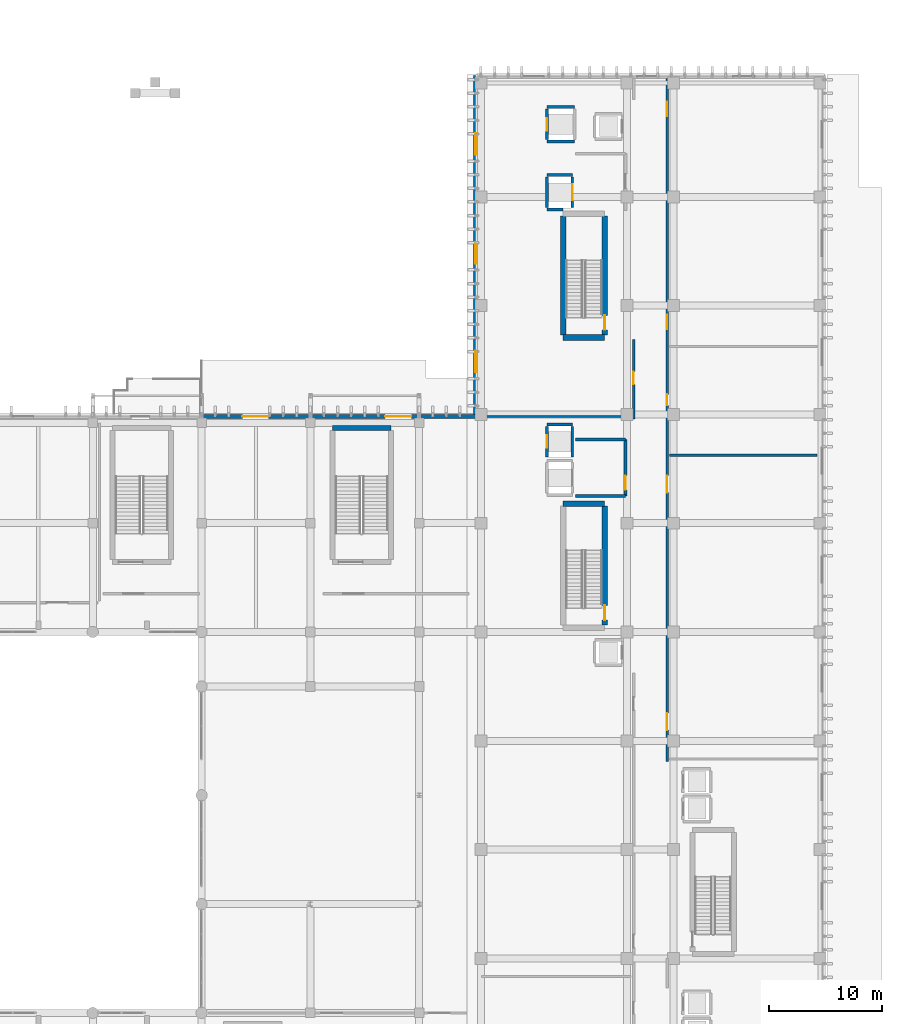
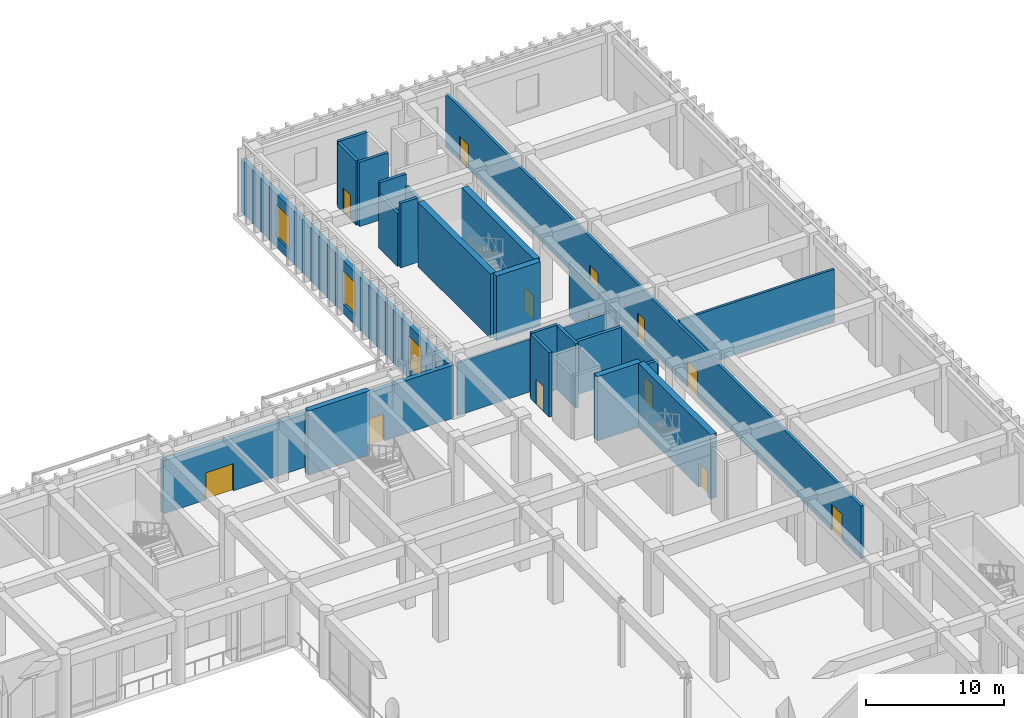
# One storey, part 49 of 87: 25 walls, 14 doors, 3 windows, 17 openings.
"""IFC4 building model written with IfcOpenShell, lengths in metres."""

from ifc_helpers import new_model, si_unit, direction, frame, frame_2d, origin, place, context, subcontext, project, spatial, rectangle, extrude, material, layer, layer_set, type_object, element, fill, save


model = new_model("IFC4")

# Units and contexts
model_context = context("Model", 3, precision=1e-05, world=origin(), true_north=direction((0.0, 1.0)))
body_context = subcontext(model_context, "Body", "Model", "MODEL_VIEW")
ifc_project = project(units=[si_unit("LENGTHUNIT", "METRE"), si_unit("AREAUNIT", "SQUARE_METRE"), si_unit("VOLUMEUNIT", "CUBIC_METRE"), si_unit("PLANEANGLEUNIT", "RADIAN"), si_unit("MASSUNIT", "GRAM", prefix="KILO")], contexts=[model_context])

# Site, building, storey
site_placement = place(None, origin())
site = spatial("IfcSite", under=ifc_project, at=site_placement, CompositionType="ELEMENT")
building_placement = place(site_placement, origin())
building = spatial("IfcBuilding", under=site, at=building_placement, Name="Nakhvara Creek Congress Hotel", CompositionType="ELEMENT")
storey_placement = place(building_placement, origin())
storey = spatial("IfcBuildingStorey", under=building, at=storey_placement, Name="L00", CompositionType="ELEMENT", Elevation=0.0)

# Walls
ifc_material_1 = material(Name="Concrete C50/60", Category="concrete")
ifc_layer_1 = layer(ifc_material_1, 0.449951171875)
ifc_layer_set_1 = layer_set([ifc_layer_1], Name="Concrete C50/60")
wall_type_1 = type_object("IfcWallType", Name="W-CORE-450", PredefinedType="SHEAR", material=ifc_layer_set_1)
wall_1_placement = place(storey_placement, frame((136.35009765625, 94.820068359375, 0.0), z_axis=(0.0, 0.0, 1.0), x_axis=(1.0, 0.0, 0.0)))
element("IfcWall", 1, at=wall_1_placement, inside=storey, type_object=wall_type_1, Name="Core Shear Wall WS02-CWALL-L00-0920", PredefinedType="SHEAR", context=body_context, shape_type="SweptSolid", body=[
    extrude(rectangle(XDim=5.14990234375, YDim=0.449951171875, at=frame_2d((2.574951171875, 0.0))), origin(), (0.0, 0.0, 1.0), 5.699951171875),
])
ifc_layer_2 = layer(ifc_material_1, 0.5)
ifc_layer_set_2 = layer_set([ifc_layer_2], Name="Concrete C50/60")
wall_type_2 = type_object("IfcWallType", Name="W-CORE-500", PredefinedType="SHEAR", material=ifc_layer_set_2)
wall_2_placement = place(storey_placement, frame((156.699951171875, 88.1201171875, 0.0), z_axis=(0.0, 0.0, 1.0), x_axis=(1.0, 0.0, 0.0)))
element("IfcWall", 2, at=wall_2_placement, inside=storey, type_object=wall_type_2, Name="Core Shear Wall WS01-CWALL-L00-0038", PredefinedType="SHEAR", context=body_context, shape_type="SweptSolid", body=[
    extrude(rectangle(XDim=3.670166015625, YDim=0.5, at=frame_2d((1.8349609375, 0.0))), origin(), (0.0, 0.0, 1.0), 5.699951171875),
])

# Wall, opening, door
wall_3_placement = place(storey_placement, frame((160.3701171875, 77.39990234375, 0.0), z_axis=(0.0, 0.0, 1.0), x_axis=(0.0, 1.0, 0.0)))
wall_3 = element("IfcWall", 3, at=wall_3_placement, inside=storey, type_object=wall_type_2, Name="Core Shear Wall WS01-CWALL-L00-0040", PredefinedType="SHEAR", context=body_context, shape_type="SweptSolid", body=[
    extrude(rectangle(XDim=10.5, YDim=0.5, at=frame_2d((5.25, 0.0))), origin(), (0.0, 0.0, 1.0), 5.699951171875),
])
opening_1_placement = place(wall_3_placement, frame((0.449951171875, 0.0, 0.0)))
opening_1 = element("IfcOpeningElement", 4, at=opening_1_placement, cuts=wall_3, Name="Opening FD04", PredefinedType="OPENING", context=body_context, shape_type="SweptSolid", body=[
    extrude(rectangle(XDim=1.300048828125, YDim=2.14990234375, at=frame_2d((0.64990234375, 1.074951171875))), frame((0.0, 0.261962890625, 0.0), z_axis=(0.0, -1.0, 0.0), x_axis=(1.0, 0.0, 0.0)), (0.0, 0.0, 1.0), 0.52392578125),
])
ifc_material_2 = material(Name="Powder-coated steel fire door", Category="steel")
door_type_1 = type_object("IfcDoorType", Name="DT-STAIR-130", OperationType="NOTDEFINED", PredefinedType="DOOR", material=ifc_material_2)
door_1_placement = place(opening_1_placement, frame((1.300048828125, 0.0, 0.0), z_axis=(0.0, 0.0, 1.0), x_axis=(-1.0, 0.0, 0.0)))
door_1 = element("IfcDoor", 5, at=door_1_placement, inside=storey, type_object=door_type_1, Name="Stair Exit Door ST01-L00", OperationType="SINGLE_SWING_LEFT", OverallHeight=2.14990234375, OverallWidth=1.300048828125, PredefinedType="DOOR", context=body_context, shape_type="SweptSolid", body=[
    extrude(rectangle(XDim=1.300048828125, YDim=2.14990234375, at=frame_2d((0.64990234375, 1.074951171875))), frame((0.0, 0.02490234375, 0.0), z_axis=(0.0, -1.0, 0.0), x_axis=(1.0, 0.0, 0.0)), (0.0, 0.0, 1.0), 0.050048828125),
])
fill(opening_1, door_1)

# Walls
wall_4_placement = place(storey_placement, frame((156.699951171875, 102.780029296875, 0.0), z_axis=(0.0, 0.0, 1.0), x_axis=(1.0, 0.0, 0.0)))
element("IfcWall", 6, at=wall_4_placement, inside=storey, type_object=wall_type_2, Name="Core Shear Wall WS01-CWALL-L00-0304", PredefinedType="SHEAR", context=body_context, shape_type="SweptSolid", body=[
    extrude(rectangle(XDim=3.670166015625, YDim=0.5, at=frame_2d((1.8349609375, 0.0))), origin(), (0.0, 0.0, 1.0), 5.699951171875),
])
wall_5_placement = place(storey_placement, frame((156.699951171875, 103.0, 0.0), z_axis=(0.0, 0.0, 1.0), x_axis=(0.0, 1.0, 0.0)))
element("IfcWall", 7, at=wall_5_placement, inside=storey, type_object=wall_type_2, Name="Core Shear Wall WS01-CWALL-L00-0306", PredefinedType="SHEAR", context=body_context, shape_type="SweptSolid", body=[
    extrude(rectangle(XDim=10.5, YDim=0.5, at=frame_2d((5.25, 0.0))), origin(), (0.0, 0.0, 1.0), 5.699951171875),
])

# Wall, opening, door
wall_6_placement = place(storey_placement, frame((160.3701171875, 103.0, 0.0), z_axis=(0.0, 0.0, 1.0), x_axis=(0.0, 1.0, 0.0)))
wall_6 = element("IfcWall", 8, at=wall_6_placement, inside=storey, type_object=wall_type_2, Name="Core Shear Wall WS01-CWALL-L00-0307", PredefinedType="SHEAR", context=body_context, shape_type="SweptSolid", body=[
    extrude(rectangle(XDim=10.5, YDim=0.5, at=frame_2d((5.25, 0.0))), origin(), (0.0, 0.0, 1.0), 5.699951171875),
])
opening_2_placement = place(wall_6_placement, frame((0.449951171875, 0.0, 0.0)))
opening_2 = element("IfcOpeningElement", 9, at=opening_2_placement, cuts=wall_6, Name="Opening FD04", PredefinedType="OPENING", context=body_context, shape_type="SweptSolid", body=[
    extrude(rectangle(XDim=1.300048828125, YDim=2.14990234375, at=frame_2d((0.64990234375, 1.074951171875))), frame((0.0, 0.261962890625, 0.0), z_axis=(0.0, -1.0, 0.0), x_axis=(1.0, 0.0, 0.0)), (0.0, 0.0, 1.0), 0.52392578125),
])
door_2_placement = place(opening_2_placement, frame((1.300048828125, 0.0, 0.0), z_axis=(0.0, 0.0, 1.0), x_axis=(-1.0, 0.0, 0.0)))
door_2 = element("IfcDoor", 10, at=door_2_placement, inside=storey, type_object=door_type_1, Name="Stair Exit Door ST02-L00", OperationType="SINGLE_SWING_LEFT", OverallHeight=2.14990234375, OverallWidth=1.300048828125, PredefinedType="DOOR", context=body_context, shape_type="SweptSolid", body=[
    extrude(rectangle(XDim=1.300048828125, YDim=2.14990234375, at=frame_2d((0.64990234375, 1.074951171875))), frame((0.0, 0.02490234375, 0.0), z_axis=(0.0, -1.0, 0.0), x_axis=(1.0, 0.0, 0.0)), (0.0, 0.0, 1.0), 0.050048828125),
])
fill(opening_2, door_2)

ifc_material_3 = material(Name="Gypsum acoustic board on steel stud", Category="steel")
ifc_layer_3 = layer(ifc_material_3, 0.219970703125)
ifc_layer_set_3 = layer_set([ifc_layer_3], Name="Gypsum acoustic board on steel stud")
wall_type_3 = type_object("IfcWallType", Name="W-CORR-220", PredefinedType="PARTITIONING", material=ifc_layer_set_3)
wall_7_placement = place(storey_placement, frame((162.919921875, 95.60009765625, 0.0), z_axis=(0.0, 0.0, 1.0), x_axis=(0.0, 1.0, 0.0)))
wall_7 = element("IfcWall", 11, at=wall_7_placement, inside=storey, type_object=wall_type_3, Name="Interior Wall WP11-IW-L00-0051", PredefinedType="PARTITIONING", context=body_context, shape_type="SweptSolid", body=[
    extrude(rectangle(XDim=7.0, YDim=0.219970703125, at=frame_2d((3.5, 0.0))), origin(), (0.0, 0.0, 1.0), 4.69189453125),
])
opening_3_placement = place(wall_7_placement, frame((3.050048828125, 0.0, 0.0)))
opening_3 = element("IfcOpeningElement", 12, at=opening_3_placement, cuts=wall_7, Name="Opening BD01", PredefinedType="OPENING", context=body_context, shape_type="SweptSolid", body=[
    extrude(rectangle(XDim=1.1201171875, YDim=2.14990234375, at=frame_2d((0.56005859375, 1.074951171875))), frame((0.0, 0.1220703125, 0.0), z_axis=(0.0, -1.0, 0.0), x_axis=(1.0, 0.0, 0.0)), (0.0, 0.0, 1.0), 0.243896484375),
])
ifc_material_4 = material(Name="Hardwood-faced service fire door", Category="wood")
door_type_2 = type_object("IfcDoorType", Name="DT-HK-112", OperationType="NOTDEFINED", PredefinedType="DOOR", material=ifc_material_4)
door_3_placement = place(opening_3_placement, frame((1.1201171875, 0.0, 0.0), z_axis=(0.0, 0.0, 1.0), x_axis=(-1.0, 0.0, 0.0)))
door_3 = element("IfcDoor", 13, at=door_3_placement, inside=storey, type_object=door_type_2, Name="Interior Door BD01-0084", OperationType="SINGLE_SWING_LEFT", OverallHeight=2.14990234375, OverallWidth=1.1201171875, PredefinedType="DOOR", context=body_context, shape_type="SweptSolid", body=[
    extrude(rectangle(XDim=1.1201171875, YDim=2.14990234375, at=frame_2d((0.56005859375, 1.074951171875))), frame((0.0, 0.02490234375, 0.0), z_axis=(0.0, -1.0, 0.0), x_axis=(1.0, 0.0, 0.0)), (0.0, 0.0, 1.0), 0.050048828125),
])
fill(opening_3, door_3)

# Wall, openings, doors
wall_8_placement = place(storey_placement, frame((165.8798828125, 65.39990234375, 0.0), z_axis=(0.0, 0.0, 1.0), x_axis=(0.0, 1.0, 0.0)))
wall_8 = element("IfcWall", 14, at=wall_8_placement, inside=storey, type_object=wall_type_3, Name="Interior Wall WP11-IW-L00-0055", PredefinedType="PARTITIONING", context=body_context, shape_type="SweptSolid", body=[
    extrude(rectangle(XDim=60.25, YDim=0.219970703125, at=frame_2d((30.125, 0.0))), origin(), (0.0, 0.0, 1.0), 4.69189453125),
])
opening_4_placement = place(wall_8_placement, frame((2.75, 0.0, 0.0)))
opening_4 = element("IfcOpeningElement", 15, at=opening_4_placement, cuts=wall_8, Name="Opening GD03", PredefinedType="OPENING", context=body_context, shape_type="SweptSolid", body=[
    extrude(rectangle(XDim=1.5, YDim=2.300048828125, at=frame_2d((0.75, 1.14990234375))), frame((0.0, 0.1220703125, 0.0), z_axis=(0.0, -1.0, 0.0), x_axis=(1.0, 0.0, 0.0)), (0.0, 0.0, 1.0), 0.243896484375),
])
opening_5_placement = place(wall_8_placement, frame((23.699951171875, 0.0, 0.0)))
opening_5 = element("IfcOpeningElement", 16, at=opening_5_placement, cuts=wall_8, Name="Opening GD03", PredefinedType="OPENING", context=body_context, shape_type="SweptSolid", body=[
    extrude(rectangle(XDim=1.5, YDim=2.300048828125, at=frame_2d((0.75, 1.14990234375))), frame((0.0, 0.1220703125, 0.0), z_axis=(0.0, -1.0, 0.0), x_axis=(1.0, 0.0, 0.0)), (0.0, 0.0, 1.0), 0.243896484375),
])
opening_6_placement = place(wall_8_placement, frame((31.39990234375, 0.0, 0.0)))
opening_6 = element("IfcOpeningElement", 17, at=opening_6_placement, cuts=wall_8, Name="Opening MD03", PredefinedType="OPENING", context=body_context, shape_type="SweptSolid", body=[
    extrude(rectangle(XDim=0.97998046875, YDim=2.14990234375, at=frame_2d((0.489990234375, 1.074951171875))), frame((0.0, 0.1220703125, 0.0), z_axis=(0.0, -1.0, 0.0), x_axis=(1.0, 0.0, 0.0)), (0.0, 0.0, 1.0), 0.243896484375),
])
opening_7_placement = place(wall_8_placement, frame((38.10009765625, 0.0, 0.0)))
opening_7 = element("IfcOpeningElement", 18, at=opening_7_placement, cuts=wall_8, Name="Opening ID07", PredefinedType="OPENING", context=body_context, shape_type="SweptSolid", body=[
    extrude(rectangle(XDim=1.280029296875, YDim=2.159912109375, at=frame_2d((0.64013671875, 1.080078125))), frame((0.0, 0.1220703125, 0.0), z_axis=(0.0, -1.0, 0.0), x_axis=(1.0, 0.0, 0.0)), (0.0, 0.0, 1.0), 0.243896484375),
])
opening_8_placement = place(wall_8_placement, frame((56.89990234375, 0.0, 0.0)))
opening_8 = element("IfcOpeningElement", 19, at=opening_8_placement, cuts=wall_8, Name="Opening ID07", PredefinedType="OPENING", context=body_context, shape_type="SweptSolid", body=[
    extrude(rectangle(XDim=1.280029296875, YDim=2.159912109375, at=frame_2d((0.64013671875, 1.080078125))), frame((0.0, 0.1220703125, 0.0), z_axis=(0.0, -1.0, 0.0), x_axis=(1.0, 0.0, 0.0)), (0.0, 0.0, 1.0), 0.243896484375),
])
ifc_material_5 = material(Name="Brushed stainless-clad BOH door")
door_type_3 = type_object("IfcDoorType", Name="DT-BOH-128", OperationType="NOTDEFINED", PredefinedType="DOOR", material=ifc_material_5)
door_4_placement = place(opening_7_placement, origin())
door_4 = element("IfcDoor", 20, at=door_4_placement, inside=storey, type_object=door_type_3, Name="Interior Door ID07-0085", OperationType="SINGLE_SWING_RIGHT", OverallHeight=2.159912109375, OverallWidth=1.280029296875, PredefinedType="DOOR", context=body_context, shape_type="SweptSolid", body=[
    extrude(rectangle(XDim=1.280029296875, YDim=2.159912109375, at=frame_2d((0.64013671875, 1.080078125))), frame((0.0, 0.02490234375, 0.0), z_axis=(0.0, -1.0, 0.0), x_axis=(1.0, 0.0, 0.0)), (0.0, 0.0, 1.0), 0.050048828125),
])
fill(opening_7, door_4)
door_5_placement = place(opening_8_placement, origin())
door_5 = element("IfcDoor", 21, at=door_5_placement, inside=storey, type_object=door_type_3, Name="Interior Door ID07-0086", OperationType="SINGLE_SWING_LEFT", OverallHeight=2.159912109375, OverallWidth=1.280029296875, PredefinedType="DOOR", context=body_context, shape_type="SweptSolid", body=[
    extrude(rectangle(XDim=1.280029296875, YDim=2.159912109375, at=frame_2d((0.64013671875, 1.080078125))), frame((0.0, 0.02490234375, 0.0), z_axis=(0.0, -1.0, 0.0), x_axis=(1.0, 0.0, 0.0)), (0.0, 0.0, 1.0), 0.050048828125),
])
fill(opening_8, door_5)
ifc_material_6 = material(Name="Acoustic ISO 2603 sound-lock timber door", Category="wood")
door_type_4 = type_object("IfcDoorType", Name="DT-ISO-098", OperationType="NOTDEFINED", PredefinedType="DOOR", material=ifc_material_6)
door_6_placement = place(opening_6_placement, origin())
door_6 = element("IfcDoor", 22, at=door_6_placement, inside=storey, type_object=door_type_4, Name="Interior Door MD03-0083", OperationType="SINGLE_SWING_RIGHT", OverallHeight=2.14990234375, OverallWidth=0.97998046875, PredefinedType="DOOR", context=body_context, shape_type="SweptSolid", body=[
    extrude(rectangle(XDim=0.97998046875, YDim=2.14990234375, at=frame_2d((0.489990234375, 1.074951171875))), frame((0.0, 0.02490234375, 0.0), z_axis=(0.0, -1.0, 0.0), x_axis=(1.0, 0.0, 0.0)), (0.0, 0.0, 1.0), 0.050048828125),
])
fill(opening_6, door_6)
ifc_material_7 = material(Name="Walnut hardwood double fire door", Category="wood")
door_type_5 = type_object("IfcDoorType", Name="DT-SUITE-150", OperationType="DOUBLE_DOOR_SINGLE_SWING", PredefinedType="DOOR", material=ifc_material_7)
door_7_placement = place(opening_4_placement, origin())
door_7 = element("IfcDoor", 23, at=door_7_placement, inside=storey, type_object=door_type_5, Name="Interior Door GD03-0081", OperationType="DOUBLE_DOOR_SINGLE_SWING", OverallHeight=2.300048828125, OverallWidth=1.5, PredefinedType="DOOR", context=body_context, shape_type="SweptSolid", body=[
    extrude(rectangle(XDim=1.5, YDim=2.300048828125, at=frame_2d((0.75, 1.14990234375))), frame((0.0, 0.02490234375, 0.0), z_axis=(0.0, -1.0, 0.0), x_axis=(1.0, 0.0, 0.0)), (0.0, 0.0, 1.0), 0.050048828125),
])
fill(opening_4, door_7)
door_8_placement = place(opening_5_placement, origin())
door_8 = element("IfcDoor", 24, at=door_8_placement, inside=storey, type_object=door_type_5, Name="Interior Door GD03-0082", OperationType="DOUBLE_DOOR_SINGLE_SWING", OverallHeight=2.300048828125, OverallWidth=1.5, PredefinedType="DOOR", context=body_context, shape_type="SweptSolid", body=[
    extrude(rectangle(XDim=1.5, YDim=2.300048828125, at=frame_2d((0.75, 1.14990234375))), frame((0.0, 0.02490234375, 0.0), z_axis=(0.0, -1.0, 0.0), x_axis=(1.0, 0.0, 0.0)), (0.0, 0.0, 1.0), 0.050048828125),
])
fill(opening_5, door_8)

ifc_material_8 = material(Name="Honed pale Omani limestone cladding", Category="masonry")
ifc_layer_4 = layer(ifc_material_8, 0.050048828125)
ifc_material_9 = material(Name="Mineral wool thermal insulation")
ifc_layer_5 = layer(ifc_material_9, 0.110107421875)
ifc_material_10 = material(Name="Precast concrete C40/50", Category="concrete")
ifc_layer_6 = layer(ifc_material_10, 0.219970703125)
ifc_layer_set_4 = layer_set([ifc_layer_4, ifc_layer_5, ifc_layer_6], Name="Precast concrete C40/50")
wall_type_4 = type_object("IfcWallType", Name="W-EXT-380", PredefinedType="SOLIDWALL", material=ifc_layer_set_4)
wall_9_placement = place(storey_placement, frame((124.800048828125, 95.81005859375, 0.0), z_axis=(0.0, 0.0, 1.0), x_axis=(1.0, 0.0, 0.0)))
wall_9 = element("IfcWall", 25, at=wall_9_placement, inside=storey, type_object=wall_type_4, Name="Exterior Wall WE03-EW-L00-0029", PredefinedType="SOLIDWALL", context=body_context, shape_type="SweptSolid", body=[
    extrude(rectangle(XDim=24.300048828125, YDim=0.3798828125, at=frame_2d((12.14990234375, 0.0))), origin(), (0.0, 0.0, 1.0), 4.69189453125),
])
opening_9_placement = place(wall_9_placement, frame((3.60009765625, 0.0, 0.0)))
opening_9 = element("IfcOpeningElement", 26, at=opening_9_placement, cuts=wall_9, Name="Opening E21", PredefinedType="OPENING", context=body_context, shape_type="SweptSolid", body=[
    extrude(rectangle(XDim=2.300048828125, YDim=2.39990234375, at=frame_2d((1.14990234375, 1.199951171875))), frame((0.0, 0.201904296875, 0.0), z_axis=(0.0, -1.0, 0.0), x_axis=(1.0, 0.0, 0.0)), (0.0, 0.0, 1.0), 0.40380859375),
])
opening_10_placement = place(wall_9_placement, frame((16.199951171875, 0.0, 0.0)))
opening_10 = element("IfcOpeningElement", 27, at=opening_10_placement, cuts=wall_9, Name="Opening E22", PredefinedType="OPENING", context=body_context, shape_type="SweptSolid", body=[
    extrude(rectangle(XDim=2.300048828125, YDim=2.39990234375, at=frame_2d((1.14990234375, 1.199951171875))), frame((0.0, 0.201904296875, 0.0), z_axis=(0.0, -1.0, 0.0), x_axis=(1.0, 0.0, 0.0)), (0.0, 0.0, 1.0), 0.40380859375),
])
ifc_material_11 = material(Name="Bronze-anodised aluminium and laminated low-E glass", Category="aluminium")
door_type_6 = type_object("IfcDoorType", Name="DT-EXT-E230", OperationType="DOUBLE_DOOR_SINGLE_SWING", PredefinedType="DOOR", material=ifc_material_11)
door_9_placement = place(opening_9_placement, origin())
door_9 = element("IfcDoor", 28, at=door_9_placement, inside=storey, type_object=door_type_6, Name="Main Final Exit E21", OperationType="DOUBLE_DOOR_SINGLE_SWING", OverallHeight=2.39990234375, OverallWidth=2.300048828125, PredefinedType="DOOR", context=body_context, shape_type="SweptSolid", body=[
    extrude(rectangle(XDim=2.300048828125, YDim=2.39990234375, at=frame_2d((1.14990234375, 1.199951171875))), frame((0.0, 0.02490234375, 0.0), z_axis=(0.0, -1.0, 0.0), x_axis=(1.0, 0.0, 0.0)), (0.0, 0.0, 1.0), 0.050048828125),
])
fill(opening_9, door_9)
door_10_placement = place(opening_10_placement, origin())
door_10 = element("IfcDoor", 29, at=door_10_placement, inside=storey, type_object=door_type_6, Name="Main Final Exit E22", OperationType="DOUBLE_DOOR_SINGLE_SWING", OverallHeight=2.39990234375, OverallWidth=2.300048828125, PredefinedType="DOOR", context=body_context, shape_type="SweptSolid", body=[
    extrude(rectangle(XDim=2.300048828125, YDim=2.39990234375, at=frame_2d((1.14990234375, 1.199951171875))), frame((0.0, 0.02490234375, 0.0), z_axis=(0.0, -1.0, 0.0), x_axis=(1.0, 0.0, 0.0)), (0.0, 0.0, 1.0), 0.050048828125),
])
fill(opening_10, door_10)

# Wall, openings, windows
wall_10_placement = place(storey_placement, frame((148.989990234375, 95.699951171875, 0.0), z_axis=(0.0, 0.0, 1.0), x_axis=(0.0, 1.0, 0.0)))
wall_10 = element("IfcWall", 30, at=wall_10_placement, inside=storey, type_object=wall_type_4, Name="Exterior Wall WE03-EW-L00-0030", PredefinedType="SOLIDWALL", context=body_context, shape_type="SweptSolid", body=[
    extrude(rectangle(XDim=30.199951171875, YDim=0.3798828125, at=frame_2d((15.10009765625, 0.0))), origin(), (0.0, 0.0, 1.0), 4.69189453125),
])
opening_11_placement = place(wall_10_placement, frame((4.0, 0.0, 0.85009765625)))
opening_11 = element("IfcOpeningElement", 31, at=opening_11_placement, cuts=wall_10, Name="Opening WN0012", PredefinedType="OPENING", context=body_context, shape_type="SweptSolid", body=[
    extrude(rectangle(XDim=1.89990234375, YDim=2.89990234375, at=frame_2d((0.949951171875, 1.449951171875))), frame((0.0, 0.201904296875, 0.0), z_axis=(0.0, -1.0, 0.0), x_axis=(1.0, 0.0, 0.0)), (0.0, 0.0, 1.0), 0.40380859375),
])
opening_12_placement = place(wall_10_placement, frame((13.60009765625, 0.0, 0.85009765625)))
opening_12 = element("IfcOpeningElement", 32, at=opening_12_placement, cuts=wall_10, Name="Opening WN0013", PredefinedType="OPENING", context=body_context, shape_type="SweptSolid", body=[
    extrude(rectangle(XDim=1.89990234375, YDim=2.89990234375, at=frame_2d((0.949951171875, 1.449951171875))), frame((0.0, 0.201904296875, 0.0), z_axis=(0.0, -1.0, 0.0), x_axis=(1.0, 0.0, 0.0)), (0.0, 0.0, 1.0), 0.40380859375),
])
opening_13_placement = place(wall_10_placement, frame((23.199951171875, 0.0, 0.85009765625)))
opening_13 = element("IfcOpeningElement", 33, at=opening_13_placement, cuts=wall_10, Name="Opening WN0014", PredefinedType="OPENING", context=body_context, shape_type="SweptSolid", body=[
    extrude(rectangle(XDim=1.89990234375, YDim=2.89990234375, at=frame_2d((0.949951171875, 1.449951171875))), frame((0.0, 0.201904296875, 0.0), z_axis=(0.0, -1.0, 0.0), x_axis=(1.0, 0.0, 0.0)), (0.0, 0.0, 1.0), 0.40380859375),
])
ifc_material_12 = material(Name="Thermally broken bronze-anodised aluminium and double-silver low-E insulated glass", Category="aluminium")
window_type = type_object("IfcWindowType", Name="WN-POD-190X290", PartitioningType="SINGLE_PANEL", PredefinedType="WINDOW", material=ifc_material_12)
window_1_placement = place(opening_11_placement, origin())
window_1 = element("IfcWindow", 34, at=window_1_placement, inside=storey, type_object=window_type, Name="Facade Window WN0012", OverallHeight=2.89990234375, OverallWidth=1.89990234375, PartitioningType="SINGLE_PANEL", PredefinedType="WINDOW", context=body_context, shape_type="SweptSolid", body=[
    extrude(rectangle(XDim=1.89990234375, YDim=2.89990234375, at=frame_2d((0.949951171875, 1.449951171875))), frame((0.0, 0.030029296875, 0.0), z_axis=(0.0, -1.0, 0.0), x_axis=(1.0, 0.0, 0.0)), (0.0, 0.0, 1.0), 0.06005859375),
])
fill(opening_11, window_1)
window_2_placement = place(opening_12_placement, origin())
window_2 = element("IfcWindow", 35, at=window_2_placement, inside=storey, type_object=window_type, Name="Facade Window WN0013", OverallHeight=2.89990234375, OverallWidth=1.89990234375, PartitioningType="SINGLE_PANEL", PredefinedType="WINDOW", context=body_context, shape_type="SweptSolid", body=[
    extrude(rectangle(XDim=1.89990234375, YDim=2.89990234375, at=frame_2d((0.949951171875, 1.449951171875))), frame((0.0, 0.030029296875, 0.0), z_axis=(0.0, -1.0, 0.0), x_axis=(1.0, 0.0, 0.0)), (0.0, 0.0, 1.0), 0.06005859375),
])
fill(opening_12, window_2)
window_3_placement = place(opening_13_placement, origin())
window_3 = element("IfcWindow", 36, at=window_3_placement, inside=storey, type_object=window_type, Name="Facade Window WN0014", OverallHeight=2.89990234375, OverallWidth=1.89990234375, PartitioningType="SINGLE_PANEL", PredefinedType="WINDOW", context=body_context, shape_type="SweptSolid", body=[
    extrude(rectangle(XDim=1.89990234375, YDim=2.89990234375, at=frame_2d((0.949951171875, 1.449951171875))), frame((0.0, 0.030029296875, 0.0), z_axis=(0.0, -1.0, 0.0), x_axis=(1.0, 0.0, 0.0)), (0.0, 0.0, 1.0), 0.06005859375),
])
fill(opening_13, window_3)

# Wall, opening, door
ifc_material_13 = material(Name="Concrete C40/50", Category="concrete")
ifc_layer_7 = layer(ifc_material_13, 0.260009765625)
ifc_layer_set_5 = layer_set([ifc_layer_7], Name="Concrete C40/50")
wall_type_5 = type_object("IfcWallType", Name="W-FFL-260", PredefinedType="SOLIDWALL", material=ifc_layer_set_5)
wall_11_placement = place(storey_placement, frame((162.199951171875, 88.800048828125, 0.0), z_axis=(0.0, 0.0, 1.0), x_axis=(0.0, 1.0, 0.0)))
wall_11 = element("IfcWall", 37, at=wall_11_placement, inside=storey, type_object=wall_type_5, Name="Core Shear Wall WI03-CWALL-L00-0052", PredefinedType="SOLIDWALL", context=body_context, shape_type="SweptSolid", body=[
    extrude(rectangle(XDim=5.0, YDim=0.260009765625, at=frame_2d((2.5, 0.0))), origin(), (0.0, 0.0, 1.0), 4.69189453125),
])
opening_14_placement = place(wall_11_placement, frame((0.550048828125, 0.0, 0.0)))
opening_14 = element("IfcOpeningElement", 38, at=opening_14_placement, cuts=wall_11, Name="Opening FD05", PredefinedType="OPENING", context=body_context, shape_type="SweptSolid", body=[
    extrude(rectangle(XDim=1.25, YDim=2.14990234375, at=frame_2d((0.625, 1.074951171875))), frame((0.0, 0.14208984375, 0.0), z_axis=(0.0, -1.0, 0.0), x_axis=(1.0, 0.0, 0.0)), (0.0, 0.0, 1.0), 0.283935546875),
])
ifc_material_14 = material(Name="Hardwood-veneered steel fire door", Category="steel")
door_type_7 = type_object("IfcDoorType", Name="DT-FFL-125", OperationType="NOTDEFINED", PredefinedType="DOOR", material=ifc_material_14)
door_11_placement = place(opening_14_placement, origin())
door_11 = element("IfcDoor", 39, at=door_11_placement, inside=storey, type_object=door_type_7, Name="Firefighting Lobby Door C1-L00", OperationType="DOUBLE_DOOR_SINGLE_SWING", OverallHeight=2.14990234375, OverallWidth=1.25, PredefinedType="DOOR", context=body_context, shape_type="SweptSolid", body=[
    extrude(rectangle(XDim=1.25, YDim=2.14990234375, at=frame_2d((0.625, 1.074951171875))), frame((0.0, 0.02490234375, 0.0), z_axis=(0.0, -1.0, 0.0), x_axis=(1.0, 0.0, 0.0)), (0.0, 0.0, 1.0), 0.050048828125),
])
fill(opening_14, door_11)

# Walls
for number, where, z_axis, x_axis, name in (
    (40, (157.800048828125, 88.800048828125, 0.0), (0.0, 0.0, 1.0), (1.0, 0.0, 0.0), "Core Shear Wall WI03-CWALL-L00-0053"),
    (41, (157.800048828125, 93.800048828125, 0.0), (0.0, 0.0, 1.0), (1.0, 0.0, 0.0), "Core Shear Wall WI03-CWALL-L00-0054"),
):
    element("IfcWall", number, at=place(storey_placement, frame(where, z_axis=z_axis, x_axis=x_axis)), inside=storey, type_object=wall_type_5, Name=name, PredefinedType="SOLIDWALL", context=body_context, shape_type="SweptSolid", body=[
        extrude(rectangle(XDim=4.39990234375, YDim=0.260009765625, at=frame_2d((2.199951171875, 0.0))), origin(), (0.0, 0.0, 1.0), 4.69189453125),
    ])
ifc_layer_8 = layer(ifc_material_3, 0.179931640625)
ifc_layer_set_6 = layer_set([ifc_layer_8], Name="Gypsum acoustic board on steel stud")
wall_type_6 = type_object("IfcWallType", Name="W-MEET-180", PredefinedType="PARTITIONING", material=ifc_layer_set_6)
wall_12_placement = place(storey_placement, frame((149.5, 95.800048828125, 0.0), z_axis=(0.0, 0.0, 1.0), x_axis=(1.0, 0.0, 0.0)))
element("IfcWall", 42, at=wall_12_placement, inside=storey, type_object=wall_type_6, Name="Interior Wall WP13-IW-L00-0076", PredefinedType="PARTITIONING", context=body_context, shape_type="SweptSolid", body=[
    extrude(rectangle(XDim=13.199951171875, YDim=0.179931640625, at=frame_2d((6.60009765625, 0.0))), origin(), (0.0, 0.0, 1.0), 4.69189453125),
])
ifc_layer_9 = layer(ifc_material_3, 0.199951171875)
ifc_layer_set_7 = layer_set([ifc_layer_9], Name="Gypsum acoustic board on steel stud")
wall_type_7 = type_object("IfcWallType", Name="W-PART-200", PredefinedType="PARTITIONING", material=ifc_layer_set_7)
wall_13_placement = place(storey_placement, frame((166.10009765625, 92.39990234375, 0.0), z_axis=(0.0, 0.0, 1.0), x_axis=(1.0, 0.0, 0.0)))
element("IfcWall", 43, at=wall_13_placement, inside=storey, type_object=wall_type_7, Name="Interior Wall WP12-IW-L00-0075", PredefinedType="PARTITIONING", context=body_context, shape_type="SweptSolid", body=[
    extrude(rectangle(XDim=13.0, YDim=0.199951171875, at=frame_2d((6.5, 0.0))), origin(), (0.0, 0.0, 1.0), 4.69189453125),
])
ifc_layer_10 = layer(ifc_material_13, 0.25)
ifc_layer_set_8 = layer_set([ifc_layer_10], Name="Concrete C40/50")
wall_type_8 = type_object("IfcWallType", Name="W-SHAFT-250", PredefinedType="SOLIDWALL", material=ifc_layer_set_8)
wall_14_placement = place(storey_placement, frame((155.2900390625, 95.110107421875, 0.0), z_axis=(0.0, 0.0, 1.0), x_axis=(1.0, 0.0, 0.0)))
element("IfcWall", 44, at=wall_14_placement, inside=storey, type_object=wall_type_8, Name="Core Shear Wall WI02-CWALL-L00-0045", PredefinedType="SOLIDWALL", context=body_context, shape_type="SweptSolid", body=[
    extrude(rectangle(XDim=2.219970703125, YDim=0.25, at=frame_2d((1.10986328125, 0.0))), origin(), (0.0, 0.0, 1.0), 5.699951171875),
])

# Wall, opening, door
wall_15_placement = place(storey_placement, frame((155.2900390625, 92.25, 0.0), z_axis=(0.0, 0.0, 1.0), x_axis=(0.0, 1.0, 0.0)))
wall_15 = element("IfcWall", 45, at=wall_15_placement, inside=storey, type_object=wall_type_8, Name="Core Shear Wall WI02-CWALL-L00-0046", PredefinedType="SOLIDWALL", context=body_context, shape_type="SweptSolid", body=[
    extrude(rectangle(XDim=2.699951171875, YDim=0.25, at=frame_2d((1.35009765625, 0.0))), origin(), (0.0, 0.0, 1.0), 5.699951171875),
])
opening_15_placement = place(wall_15_placement, frame((0.800048828125, 0.0, 0.0)))
opening_15 = element("IfcOpeningElement", 46, at=opening_15_placement, cuts=wall_15, Name="Opening LD01", PredefinedType="OPENING", context=body_context, shape_type="SweptSolid", body=[
    extrude(rectangle(XDim=1.10009765625, YDim=2.199951171875, at=frame_2d((0.550048828125, 1.10009765625))), frame((0.0, 0.136962890625, 0.0), z_axis=(0.0, -1.0, 0.0), x_axis=(1.0, 0.0, 0.0)), (0.0, 0.0, 1.0), 0.27392578125),
])
ifc_material_15 = material(Name="Brushed stainless steel sliding landing door", Category="steel")
door_type_8 = type_object("IfcDoorType", Name="DT-LIFT-110", OperationType="DOUBLE_DOOR_SLIDING", PredefinedType="DOOR", material=ifc_material_15)
door_12_placement = place(opening_15_placement, origin())
door_12 = element("IfcDoor", 47, at=door_12_placement, inside=storey, type_object=door_type_8, Name="Landing Door SL01-L00", OperationType="SLIDING_TO_LEFT", OverallHeight=2.199951171875, OverallWidth=1.10009765625, PredefinedType="DOOR", context=body_context, shape_type="SweptSolid", body=[
    extrude(rectangle(XDim=1.10009765625, YDim=2.199951171875, at=frame_2d((0.550048828125, 1.10009765625))), frame((0.0, 0.02490234375, 0.0), z_axis=(0.0, -1.0, 0.0), x_axis=(1.0, 0.0, 0.0)), (0.0, 0.0, 1.0), 0.050048828125),
])
fill(opening_15, door_12)

# Walls
wall_16_placement = place(storey_placement, frame((157.510009765625, 92.25, 0.0), z_axis=(0.0, 0.0, 1.0), x_axis=(0.0, 1.0, 0.0)))
element("IfcWall", 48, at=wall_16_placement, inside=storey, type_object=wall_type_8, Name="Core Shear Wall WI02-CWALL-L00-0047", PredefinedType="SOLIDWALL", context=body_context, shape_type="SweptSolid", body=[
    extrude(rectangle(XDim=2.699951171875, YDim=0.25, at=frame_2d((1.35009765625, 0.0))), origin(), (0.0, 0.0, 1.0), 5.699951171875),
])
wall_17_placement = place(storey_placement, frame((155.2900390625, 114.090087890625, 0.0), z_axis=(0.0, 0.0, 1.0), x_axis=(1.0, 0.0, 0.0)))
element("IfcWall", 49, at=wall_17_placement, inside=storey, type_object=wall_type_8, Name="Core Shear Wall WI02-CWALL-L00-0308", PredefinedType="SOLIDWALL", context=body_context, shape_type="SweptSolid", body=[
    extrude(rectangle(XDim=1.39990234375, YDim=0.25, at=frame_2d((0.699951171875, 0.0))), origin(), (0.0, 0.0, 1.0), 5.699951171875),
])
wall_18_placement = place(storey_placement, frame((155.2900390625, 117.110107421875, 0.0), z_axis=(0.0, 0.0, 1.0), x_axis=(1.0, 0.0, 0.0)))
element("IfcWall", 50, at=wall_18_placement, inside=storey, type_object=wall_type_8, Name="Core Shear Wall WI02-CWALL-L00-0309", PredefinedType="SOLIDWALL", context=body_context, shape_type="SweptSolid", body=[
    extrude(rectangle(XDim=2.219970703125, YDim=0.25, at=frame_2d((1.10986328125, 0.0))), origin(), (0.0, 0.0, 1.0), 5.699951171875),
])
wall_19_placement = place(storey_placement, frame((155.2900390625, 114.25, 0.0), z_axis=(0.0, 0.0, 1.0), x_axis=(0.0, 1.0, 0.0)))
element("IfcWall", 51, at=wall_19_placement, inside=storey, type_object=wall_type_8, Name="Core Shear Wall WI02-CWALL-L00-0310", PredefinedType="SOLIDWALL", context=body_context, shape_type="SweptSolid", body=[
    extrude(rectangle(XDim=2.699951171875, YDim=0.25, at=frame_2d((1.35009765625, 0.0))), origin(), (0.0, 0.0, 1.0), 4.69189453125),
])

# Wall, opening, door
wall_20_placement = place(storey_placement, frame((157.510009765625, 114.25, 0.0), z_axis=(0.0, 0.0, 1.0), x_axis=(0.0, 1.0, 0.0)))
wall_20 = element("IfcWall", 52, at=wall_20_placement, inside=storey, type_object=wall_type_8, Name="Core Shear Wall WI02-CWALL-L00-0311", PredefinedType="SOLIDWALL", context=body_context, shape_type="SweptSolid", body=[
    extrude(rectangle(XDim=2.699951171875, YDim=0.25, at=frame_2d((1.35009765625, 0.0))), origin(), (0.0, 0.0, 1.0), 4.69189453125),
])
opening_16_placement = place(wall_20_placement, frame((0.64990234375, 0.0, 0.0)))
opening_16 = element("IfcOpeningElement", 53, at=opening_16_placement, cuts=wall_20, Name="Opening LD02", PredefinedType="OPENING", context=body_context, shape_type="SweptSolid", body=[
    extrude(rectangle(XDim=1.39990234375, YDim=2.300048828125, at=frame_2d((0.699951171875, 1.14990234375))), frame((0.0, 0.136962890625, 0.0), z_axis=(0.0, -1.0, 0.0), x_axis=(1.0, 0.0, 0.0)), (0.0, 0.0, 1.0), 0.27392578125),
])
ifc_material_16 = material(Name="Brushed stainless steel heavy goods landing door", Category="steel")
door_type_9 = type_object("IfcDoorType", Name="DT-LIFT-140", OperationType="DOUBLE_DOOR_SLIDING", PredefinedType="DOOR", material=ifc_material_16)
door_13_placement = place(opening_16_placement, origin())
door_13 = element("IfcDoor", 54, at=door_13_placement, inside=storey, type_object=door_type_9, Name="Landing Door FFL2-L00", OperationType="SLIDING_TO_LEFT", OverallHeight=2.300048828125, OverallWidth=1.39990234375, PredefinedType="DOOR", context=body_context, shape_type="SweptSolid", body=[
    extrude(rectangle(XDim=1.39990234375, YDim=2.300048828125, at=frame_2d((0.699951171875, 1.14990234375))), frame((0.0, 0.02490234375, 0.0), z_axis=(0.0, -1.0, 0.0), x_axis=(1.0, 0.0, 0.0)), (0.0, 0.0, 1.0), 0.050048828125),
])
fill(opening_16, door_13)

# Walls
for number, where, z_axis, x_axis, name in (
    (55, (155.2900390625, 120.090087890625, 0.0), (0.0, 0.0, 1.0), (1.0, 0.0, 0.0), "Core Shear Wall WI02-CWALL-L00-0316"),
    (56, (155.2900390625, 123.110107421875, 0.0), (0.0, 0.0, 1.0), (1.0, 0.0, 0.0), "Core Shear Wall WI02-CWALL-L00-0317"),
):
    element("IfcWall", number, at=place(storey_placement, frame(where, z_axis=z_axis, x_axis=x_axis)), inside=storey, type_object=wall_type_8, Name=name, PredefinedType="SOLIDWALL", context=body_context, shape_type="SweptSolid", body=[
        extrude(rectangle(XDim=2.419921875, YDim=0.25, at=frame_2d((1.2099609375, 0.0))), origin(), (0.0, 0.0, 1.0), 5.699951171875),
    ])

# Wall, opening, door
wall_21_placement = place(storey_placement, frame((155.2900390625, 120.25, 0.0), z_axis=(0.0, 0.0, 1.0), x_axis=(0.0, 1.0, 0.0)))
wall_21 = element("IfcWall", 57, at=wall_21_placement, inside=storey, type_object=wall_type_8, Name="Core Shear Wall WI02-CWALL-L00-0318", PredefinedType="SOLIDWALL", context=body_context, shape_type="SweptSolid", body=[
    extrude(rectangle(XDim=2.699951171875, YDim=0.25, at=frame_2d((1.35009765625, 0.0))), origin(), (0.0, 0.0, 1.0), 5.699951171875),
])
opening_17_placement = place(wall_21_placement, frame((0.800048828125, 0.0, 0.0)))
opening_17 = element("IfcOpeningElement", 58, at=opening_17_placement, cuts=wall_21, Name="Opening LD01", PredefinedType="OPENING", context=body_context, shape_type="SweptSolid", body=[
    extrude(rectangle(XDim=1.10009765625, YDim=2.199951171875, at=frame_2d((0.550048828125, 1.10009765625))), frame((0.0, 0.136962890625, 0.0), z_axis=(0.0, -1.0, 0.0), x_axis=(1.0, 0.0, 0.0)), (0.0, 0.0, 1.0), 0.27392578125),
])
door_14_placement = place(opening_17_placement, origin())
door_14 = element("IfcDoor", 59, at=door_14_placement, inside=storey, type_object=door_type_8, Name="Landing Door SL02-L00", OperationType="SLIDING_TO_LEFT", OverallHeight=2.199951171875, OverallWidth=1.10009765625, PredefinedType="DOOR", context=body_context, shape_type="SweptSolid", body=[
    extrude(rectangle(XDim=1.10009765625, YDim=2.199951171875, at=frame_2d((0.550048828125, 1.10009765625))), frame((0.0, 0.02490234375, 0.0), z_axis=(0.0, -1.0, 0.0), x_axis=(1.0, 0.0, 0.0)), (0.0, 0.0, 1.0), 0.050048828125),
])
fill(opening_17, door_14)

save(model, "model.ifc")
